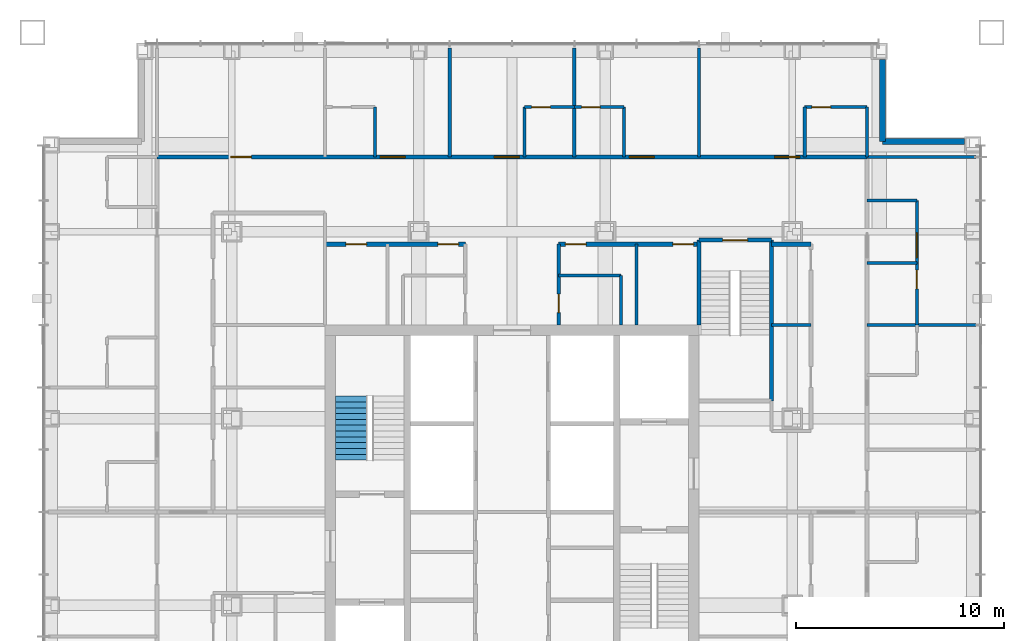
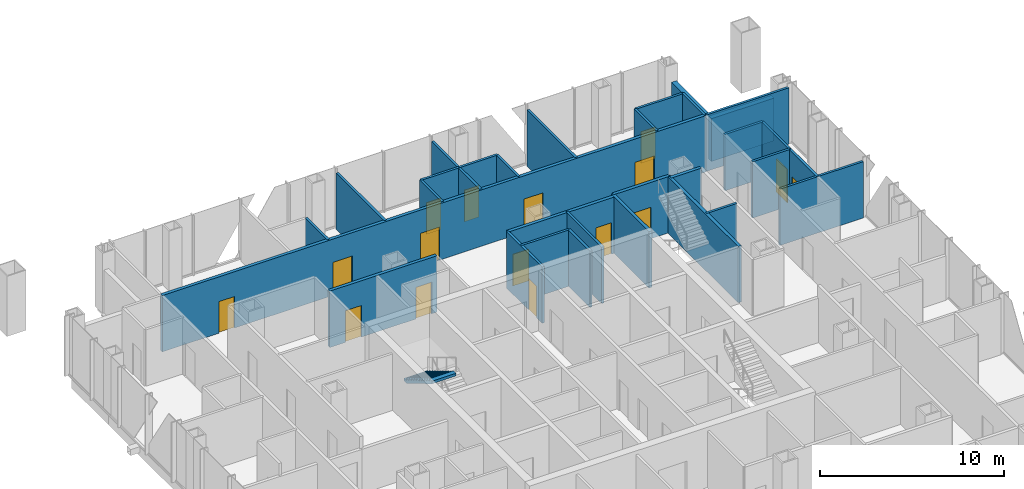
# One storey, part 15 of 21: 31 walls, 16 doors, 1 stair flight, 16 openings, 1 element without a shape of its own.
"""IFC4 building model written with IfcOpenShell, lengths in metres."""

from ifc_helpers import new_model, si_unit, direction, frame, frame_2d, origin, place, context, subcontext, project, spatial, polyline, rectangle, outline, extrude, material, layer, layer_set, type_object, element, fill, aggregate, save


model = new_model("IFC4")

# Units and contexts
model_context = context("Model", 3, precision=1e-05, world=origin(), true_north=direction((0.0, 1.0)))
body_context = subcontext(model_context, "Body", "Model", "MODEL_VIEW")
ifc_project = project(units=[si_unit("LENGTHUNIT", "METRE"), si_unit("AREAUNIT", "SQUARE_METRE"), si_unit("VOLUMEUNIT", "CUBIC_METRE"), si_unit("PLANEANGLEUNIT", "RADIAN"), si_unit("MASSUNIT", "GRAM", prefix="KILO")], contexts=[model_context])

# Site, building, storey
site_placement = place(None, origin())
site = spatial("IfcSite", under=ifc_project, at=site_placement, CompositionType="ELEMENT")
building_placement = place(site_placement, origin())
building = spatial("IfcBuilding", under=site, at=building_placement, Name="Malebo Sky Hospital", CompositionType="ELEMENT")
storey_placement = place(building_placement, frame((0.0, 0.0, 229.0)))
storey = spatial("IfcBuildingStorey", under=building, at=storey_placement, Name="L55", CompositionType="ELEMENT", Elevation=229.0)

# Wall, openings, doors
ifc_material_1 = material(Name="Gypsum board on steel studs", Category="steel")
ifc_layer_1 = layer(ifc_material_1, 0.199951171875)
ifc_layer_set_1 = layer_set([ifc_layer_1], Name="CORRIDOR WALL 200")
wall_type_1 = type_object("IfcWallType", Name="CORRIDOR WALL 200", PredefinedType="PARTITIONING", material=ifc_layer_set_1)
wall_1_placement = place(storey_placement, frame((42.89990234375, 79.10009765625, 0.0), z_axis=(0.0, 0.0, 1.0), x_axis=(1.0, 0.0, 0.0)))
wall_1 = element("IfcWall", 1, at=wall_1_placement, inside=storey, type_object=wall_type_1, Name="Corridor Wall 200 NCO", PredefinedType="PARTITIONING", context=body_context, shape_type="SweptSolid", body=[
    extrude(rectangle(XDim=34.2001953125, YDim=0.199951171875, at=frame_2d((17.10009765625, 0.0))), origin(), (0.0, 0.0, 1.0), 3.75),
])
opening_1_placement = place(wall_1_placement, frame((3.550048828125, 0.0, 0.0)))
opening_1 = element("IfcOpeningElement", 2, at=opening_1_placement, cuts=wall_1, Name="Opening D03", PredefinedType="OPENING", context=body_context, shape_type="SweptSolid", body=[
    extrude(rectangle(XDim=1.0, YDim=2.10009765625, at=frame_2d((0.5, 1.050048828125))), frame((0.0, 0.10986328125, 0.0), z_axis=(0.0, -1.0, 0.0), x_axis=(1.0, 0.0, 0.0)), (0.0, 0.0, 1.0), 0.219970703125),
])
opening_2_placement = place(wall_1_placement, frame((10.75, 0.0, 0.0)))
opening_2 = element("IfcOpeningElement", 3, at=opening_2_placement, cuts=wall_1, Name="Opening D01", PredefinedType="OPENING", context=body_context, shape_type="SweptSolid", body=[
    extrude(rectangle(XDim=1.199951171875, YDim=2.199951171875, at=frame_2d((0.60009765625, 1.10009765625))), frame((0.0, 0.10986328125, 0.0), z_axis=(0.0, -1.0, 0.0), x_axis=(1.0, 0.0, 0.0)), (0.0, 0.0, 1.0), 0.219970703125),
])
opening_3_placement = place(wall_1_placement, frame((16.25, 0.0, 0.0)))
opening_3 = element("IfcOpeningElement", 4, at=opening_3_placement, cuts=wall_1, Name="Opening D01", PredefinedType="OPENING", context=body_context, shape_type="SweptSolid", body=[
    extrude(rectangle(XDim=1.199951171875, YDim=2.199951171875, at=frame_2d((0.60009765625, 1.10009765625))), frame((0.0, 0.10986328125, 0.0), z_axis=(0.0, -1.0, 0.0), x_axis=(1.0, 0.0, 0.0)), (0.0, 0.0, 1.0), 0.219970703125),
])
opening_4_placement = place(wall_1_placement, frame((22.75, 0.0, 0.0)))
opening_4 = element("IfcOpeningElement", 5, at=opening_4_placement, cuts=wall_1, Name="Opening D01", PredefinedType="OPENING", context=body_context, shape_type="SweptSolid", body=[
    extrude(rectangle(XDim=1.199951171875, YDim=2.199951171875, at=frame_2d((0.60009765625, 1.10009765625))), frame((0.0, 0.10986328125, 0.0), z_axis=(0.0, -1.0, 0.0), x_axis=(1.0, 0.0, 0.0)), (0.0, 0.0, 1.0), 0.219970703125),
])
opening_5_placement = place(wall_1_placement, frame((29.75, 0.0, 0.0)))
opening_5 = element("IfcOpeningElement", 6, at=opening_5_placement, cuts=wall_1, Name="Opening D01", PredefinedType="OPENING", context=body_context, shape_type="SweptSolid", body=[
    extrude(rectangle(XDim=1.199951171875, YDim=2.199951171875, at=frame_2d((0.60009765625, 1.10009765625))), frame((0.0, 0.10986328125, 0.0), z_axis=(0.0, -1.0, 0.0), x_axis=(1.0, 0.0, 0.0)), (0.0, 0.0, 1.0), 0.219970703125),
])
ifc_material_2 = material(Name="Hardwood-faced door leaf in steel frame", Category="steel")
door_type_1 = type_object("IfcDoorType", Name="BED DOOR 1200", OperationType="SINGLE_SWING_LEFT", PredefinedType="DOOR", material=ifc_material_2)
door_1_placement = place(opening_2_placement, origin())
door_1 = element("IfcDoor", 7, at=door_1_placement, inside=storey, type_object=door_type_1, Name="Single bed room door", OperationType="SINGLE_SWING_LEFT", OverallHeight=2.199951171875, OverallWidth=1.199951171875, PredefinedType="DOOR", context=body_context, shape_type="SweptSolid", body=[
    extrude(rectangle(XDim=1.199951171875, YDim=2.199951171875, at=frame_2d((0.60009765625, 1.10009765625))), frame((0.0, 0.02490234375, 0.0), z_axis=(0.0, -1.0, 0.0), x_axis=(1.0, 0.0, 0.0)), (0.0, 0.0, 1.0), 0.050048828125),
])
fill(opening_2, door_1)
door_2_placement = place(opening_3_placement, origin())
door_2 = element("IfcDoor", 8, at=door_2_placement, inside=storey, type_object=door_type_1, Name="Single bed room door", OperationType="SINGLE_SWING_RIGHT", OverallHeight=2.199951171875, OverallWidth=1.199951171875, PredefinedType="DOOR", context=body_context, shape_type="SweptSolid", body=[
    extrude(rectangle(XDim=1.199951171875, YDim=2.199951171875, at=frame_2d((0.60009765625, 1.10009765625))), frame((0.0, 0.02490234375, 0.0), z_axis=(0.0, -1.0, 0.0), x_axis=(1.0, 0.0, 0.0)), (0.0, 0.0, 1.0), 0.050048828125),
])
fill(opening_3, door_2)
door_3_placement = place(opening_4_placement, origin())
door_3 = element("IfcDoor", 9, at=door_3_placement, inside=storey, type_object=door_type_1, Name="Single bed room door", OperationType="SINGLE_SWING_LEFT", OverallHeight=2.199951171875, OverallWidth=1.199951171875, PredefinedType="DOOR", context=body_context, shape_type="SweptSolid", body=[
    extrude(rectangle(XDim=1.199951171875, YDim=2.199951171875, at=frame_2d((0.60009765625, 1.10009765625))), frame((0.0, 0.02490234375, 0.0), z_axis=(0.0, -1.0, 0.0), x_axis=(1.0, 0.0, 0.0)), (0.0, 0.0, 1.0), 0.050048828125),
])
fill(opening_4, door_3)
door_4_placement = place(opening_5_placement, origin())
door_4 = element("IfcDoor", 10, at=door_4_placement, inside=storey, type_object=door_type_1, Name="Two-bed room door", OperationType="SINGLE_SWING_RIGHT", OverallHeight=2.199951171875, OverallWidth=1.199951171875, PredefinedType="DOOR", context=body_context, shape_type="SweptSolid", body=[
    extrude(rectangle(XDim=1.199951171875, YDim=2.199951171875, at=frame_2d((0.60009765625, 1.10009765625))), frame((0.0, 0.02490234375, 0.0), z_axis=(0.0, -1.0, 0.0), x_axis=(1.0, 0.0, 0.0)), (0.0, 0.0, 1.0), 0.050048828125),
])
fill(opening_5, door_4)
door_type_2 = type_object("IfcDoorType", Name="ROOM DOOR 1000", OperationType="SINGLE_SWING_LEFT", PredefinedType="DOOR", material=ifc_material_2)
door_5_placement = place(opening_1_placement, origin())
door_5 = element("IfcDoor", 11, at=door_5_placement, inside=storey, type_object=door_type_2, Name="School room door", OperationType="SINGLE_SWING_LEFT", OverallHeight=2.10009765625, OverallWidth=1.0, PredefinedType="DOOR", context=body_context, shape_type="SweptSolid", body=[
    extrude(rectangle(XDim=1.0, YDim=2.10009765625, at=frame_2d((0.5, 1.050048828125))), frame((0.0, 0.02490234375, 0.0), z_axis=(0.0, -1.0, 0.0), x_axis=(1.0, 0.0, 0.0)), (0.0, 0.0, 1.0), 0.050048828125),
])
fill(opening_1, door_5)

wall_2_placement = place(storey_placement, frame((51.0, 74.89990234375, 0.0), z_axis=(0.0, 0.0, 1.0), x_axis=(1.0, 0.0, 0.0)))
wall_2 = element("IfcWall", 12, at=wall_2_placement, inside=storey, type_object=wall_type_1, Name="Corridor Wall 200 NCI1", PredefinedType="PARTITIONING", context=body_context, shape_type="SweptSolid", body=[
    extrude(rectangle(XDim=6.75, YDim=0.199951171875, at=frame_2d((3.375, 0.0))), origin(), (0.0, 0.0, 1.0), 3.75),
])
opening_6_placement = place(wall_2_placement, frame((1.0, 0.0, 0.0)))
opening_6 = element("IfcOpeningElement", 13, at=opening_6_placement, cuts=wall_2, Name="Opening D03", PredefinedType="OPENING", context=body_context, shape_type="SweptSolid", body=[
    extrude(rectangle(XDim=1.0, YDim=2.10009765625, at=frame_2d((0.5, 1.050048828125))), frame((0.0, 0.10986328125, 0.0), z_axis=(0.0, -1.0, 0.0), x_axis=(1.0, 0.0, 0.0)), (0.0, 0.0, 1.0), 0.219970703125),
])
opening_7_placement = place(wall_2_placement, frame((5.425048828125, 0.0, 0.0)))
opening_7 = element("IfcOpeningElement", 14, at=opening_7_placement, cuts=wall_2, Name="Opening D03", PredefinedType="OPENING", context=body_context, shape_type="SweptSolid", body=[
    extrude(rectangle(XDim=1.0, YDim=2.10009765625, at=frame_2d((0.5, 1.050048828125))), frame((0.0, 0.10986328125, 0.0), z_axis=(0.0, -1.0, 0.0), x_axis=(1.0, 0.0, 0.0)), (0.0, 0.0, 1.0), 0.219970703125),
])
door_6_placement = place(opening_6_placement, origin())
door_6 = element("IfcDoor", 15, at=door_6_placement, inside=storey, type_object=door_type_2, Name="Sensory room door", OperationType="SINGLE_SWING_LEFT", OverallHeight=2.10009765625, OverallWidth=1.0, PredefinedType="DOOR", context=body_context, shape_type="SweptSolid", body=[
    extrude(rectangle(XDim=1.0, YDim=2.10009765625, at=frame_2d((0.5, 1.050048828125))), frame((0.0, 0.02490234375, 0.0), z_axis=(0.0, -1.0, 0.0), x_axis=(1.0, 0.0, 0.0)), (0.0, 0.0, 1.0), 0.050048828125),
])
fill(opening_6, door_6)
door_7_placement = place(opening_7_placement, origin())
door_7 = element("IfcDoor", 16, at=door_7_placement, inside=storey, type_object=door_type_2, Name="Equipment store door", OperationType="SINGLE_SWING_RIGHT", OverallHeight=2.10009765625, OverallWidth=1.0, PredefinedType="DOOR", context=body_context, shape_type="SweptSolid", body=[
    extrude(rectangle(XDim=1.0, YDim=2.10009765625, at=frame_2d((0.5, 1.050048828125))), frame((0.0, 0.02490234375, 0.0), z_axis=(0.0, -1.0, 0.0), x_axis=(1.0, 0.0, 0.0)), (0.0, 0.0, 1.0), 0.050048828125),
])
fill(opening_7, door_7)

wall_3_placement = place(storey_placement, frame((62.25, 74.89990234375, 0.0), z_axis=(0.0, 0.0, 1.0), x_axis=(1.0, 0.0, 0.0)))
wall_3 = element("IfcWall", 17, at=wall_3_placement, inside=storey, type_object=wall_type_1, Name="Corridor Wall 200 NCI2", PredefinedType="PARTITIONING", context=body_context, shape_type="SweptSolid", body=[
    extrude(rectangle(XDim=6.75, YDim=0.199951171875, at=frame_2d((3.375, 0.0))), origin(), (0.0, 0.0, 1.0), 3.75),
])
opening_8_placement = place(wall_3_placement, frame((0.324951171875, 0.0, 0.0)))
opening_8 = element("IfcOpeningElement", 18, at=opening_8_placement, cuts=wall_3, Name="Opening D03", PredefinedType="OPENING", context=body_context, shape_type="SweptSolid", body=[
    extrude(rectangle(XDim=1.0, YDim=2.10009765625, at=frame_2d((0.5, 1.050048828125))), frame((0.0, 0.10986328125, 0.0), z_axis=(0.0, -1.0, 0.0), x_axis=(1.0, 0.0, 0.0)), (0.0, 0.0, 1.0), 0.219970703125),
])
opening_9_placement = place(wall_3_placement, frame((5.5, 0.0, 0.0)))
opening_9 = element("IfcOpeningElement", 19, at=opening_9_placement, cuts=wall_3, Name="Opening D03", PredefinedType="OPENING", context=body_context, shape_type="SweptSolid", body=[
    extrude(rectangle(XDim=1.0, YDim=2.10009765625, at=frame_2d((0.5, 1.050048828125))), frame((0.0, 0.10986328125, 0.0), z_axis=(0.0, -1.0, 0.0), x_axis=(1.0, 0.0, 0.0)), (0.0, 0.0, 1.0), 0.219970703125),
])
door_8_placement = place(opening_8_placement, origin())
door_8 = element("IfcDoor", 20, at=door_8_placement, inside=storey, type_object=door_type_2, Name="Medication room door", OperationType="SINGLE_SWING_LEFT", OverallHeight=2.10009765625, OverallWidth=1.0, PredefinedType="DOOR", context=body_context, shape_type="SweptSolid", body=[
    extrude(rectangle(XDim=1.0, YDim=2.10009765625, at=frame_2d((0.5, 1.050048828125))), frame((0.0, 0.02490234375, 0.0), z_axis=(0.0, -1.0, 0.0), x_axis=(1.0, 0.0, 0.0)), (0.0, 0.0, 1.0), 0.050048828125),
])
fill(opening_8, door_8)
door_9_placement = place(opening_9_placement, origin())
door_9 = element("IfcDoor", 21, at=door_9_placement, inside=storey, type_object=door_type_2, Name="Teenage lounge door", OperationType="SINGLE_SWING_RIGHT", OverallHeight=2.10009765625, OverallWidth=1.0, PredefinedType="DOOR", context=body_context, shape_type="SweptSolid", body=[
    extrude(rectangle(XDim=1.0, YDim=2.10009765625, at=frame_2d((0.5, 1.050048828125))), frame((0.0, 0.02490234375, 0.0), z_axis=(0.0, -1.0, 0.0), x_axis=(1.0, 0.0, 0.0)), (0.0, 0.0, 1.0), 0.050048828125),
])
fill(opening_9, door_9)

# Walls
wall_4_placement = place(storey_placement, frame((72.5, 74.89990234375, 0.0), z_axis=(0.0, 0.0, 1.0), x_axis=(1.0, 0.0, 0.0)))
element("IfcWall", 22, at=wall_4_placement, inside=storey, type_object=wall_type_1, Name="Corridor Wall 200 NCI2/2", PredefinedType="PARTITIONING", context=body_context, shape_type="SweptSolid", body=[
    extrude(rectangle(XDim=1.89990234375, YDim=0.199951171875, at=frame_2d((0.949951171875, 0.0))), origin(), (0.0, 0.0, 1.0), 3.75),
])
ifc_material_3 = material(Name="Anodised aluminium rainscreen on steel framing", Category="steel")
ifc_layer_2 = layer(ifc_material_3, 0.300048828125)
ifc_layer_set_2 = layer_set([ifc_layer_2], Name="NOTCH RAINSCREEN WALL 300")
wall_type_2 = type_object("IfcWallType", Name="NOTCH RAINSCREEN WALL 300", PredefinedType="ELEMENTEDWALL", material=ifc_layer_set_2)
for number, where, z_axis, x_axis, name in (
    (23, (77.85009765625, 83.800048828125, 0.0), (0.0, 0.0, 1.0), (0.0, -1.0, 0.0), "Notch rainscreen wall N1 L55"),
    (24, (77.85009765625, 79.85009765625, 0.0), (0.0, 0.0, 1.0), (1.0, 0.0, 0.0), "Notch rainscreen wall N2 L55"),
):
    element("IfcWall", number, at=place(storey_placement, frame(where, z_axis=z_axis, x_axis=x_axis)), inside=storey, type_object=wall_type_2, Name=name, PredefinedType="ELEMENTEDWALL", context=body_context, shape_type="SweptSolid", body=[
        extrude(rectangle(XDim=3.949951171875, YDim=0.300048828125, at=frame_2d((1.97509765625, 0.0))), origin(), (0.0, 0.0, 1.0), 2.85009765625),
    ])
ifc_layer_3 = layer(ifc_material_1, 0.14990234375)
ifc_layer_set_3 = layer_set([ifc_layer_3], Name="PARTITION 150")
wall_type_3 = type_object("IfcWallType", Name="PARTITION 150", PredefinedType="PARTITIONING", material=ifc_layer_set_3)
for number, where, z_axis, x_axis, name in (
    (25, (57.0, 79.10009765625, 0.0), (0.0, 0.0, 1.0), (0.0, 1.0, 0.0), "Partition 150 NP-3.0"),
    (26, (63.0, 79.10009765625, 0.0), (0.0, 0.0, 1.0), (0.0, 1.0, 0.0), "Partition 150 NP+3.0"),
    (27, (69.0, 79.10009765625, 0.0), (0.0, 0.0, 1.0), (0.0, 1.0, 0.0), "Partition 150 NP+9.0"),
):
    element("IfcWall", number, at=place(storey_placement, frame(where, z_axis=z_axis, x_axis=x_axis)), inside=storey, type_object=wall_type_3, Name=name, PredefinedType="PARTITIONING", context=body_context, shape_type="SweptSolid", body=[
        extrude(rectangle(XDim=5.25, YDim=0.14990234375, at=frame_2d((2.625, 0.0))), origin(), (0.0, 0.0, 1.0), 3.75),
    ])
wall_5_placement = place(storey_placement, frame((53.39990234375, 79.10009765625, 0.0), z_axis=(0.0, 0.0, 1.0), x_axis=(0.0, 1.0, 0.0)))
element("IfcWall", 28, at=wall_5_placement, inside=storey, type_object=wall_type_3, Name="Partition 150 NE1S", PredefinedType="PARTITIONING", context=body_context, shape_type="SweptSolid", body=[
    extrude(rectangle(XDim=2.39990234375, YDim=0.14990234375, at=frame_2d((1.199951171875, 0.0))), origin(), (0.0, 0.0, 1.0), 3.75),
])

# Wall, opening, door
wall_6_placement = place(storey_placement, frame((60.60009765625, 81.5, 0.0), z_axis=(0.0, 0.0, 1.0), x_axis=(1.0, 0.0, 0.0)))
wall_6 = element("IfcWall", 29, at=wall_6_placement, inside=storey, type_object=wall_type_3, Name="Partition 150 NE2F", PredefinedType="PARTITIONING", context=body_context, shape_type="SweptSolid", body=[
    extrude(rectangle(XDim=2.39990234375, YDim=0.14990234375, at=frame_2d((1.199951171875, 0.0))), origin(), (0.0, 0.0, 1.0), 3.75),
])
opening_10_placement = place(wall_6_placement, frame((0.35009765625, 0.0, 0.0)))
opening_10 = element("IfcOpeningElement", 30, at=opening_10_placement, cuts=wall_6, Name="Opening D02", PredefinedType="OPENING", context=body_context, shape_type="SweptSolid", body=[
    extrude(rectangle(XDim=0.89990234375, YDim=2.10009765625, at=frame_2d((0.449951171875, 1.050048828125))), frame((0.0, 0.0849609375, 0.0), z_axis=(0.0, -1.0, 0.0), x_axis=(1.0, 0.0, 0.0)), (0.0, 0.0, 1.0), 0.169921875),
])
door_type_3 = type_object("IfcDoorType", Name="EN-SUITE DOOR 900", OperationType="SINGLE_SWING_LEFT", PredefinedType="DOOR", material=ifc_material_2)
door_10_placement = place(opening_10_placement, origin())
door_10 = element("IfcDoor", 31, at=door_10_placement, inside=storey, type_object=door_type_3, Name="En-suite door", OperationType="SINGLE_SWING_LEFT", OverallHeight=2.10009765625, OverallWidth=0.89990234375, PredefinedType="DOOR", context=body_context, shape_type="SweptSolid", body=[
    extrude(rectangle(XDim=0.89990234375, YDim=2.10009765625, at=frame_2d((0.449951171875, 1.050048828125))), frame((0.0, 0.02490234375, 0.0), z_axis=(0.0, -1.0, 0.0), x_axis=(1.0, 0.0, 0.0)), (0.0, 0.0, 1.0), 0.050048828125),
])
fill(opening_10, door_10)

# Wall
wall_7_placement = place(storey_placement, frame((60.60009765625, 79.10009765625, 0.0), z_axis=(0.0, 0.0, 1.0), x_axis=(0.0, 1.0, 0.0)))
element("IfcWall", 32, at=wall_7_placement, inside=storey, type_object=wall_type_3, Name="Partition 150 NE2S", PredefinedType="PARTITIONING", context=body_context, shape_type="SweptSolid", body=[
    extrude(rectangle(XDim=2.39990234375, YDim=0.14990234375, at=frame_2d((1.199951171875, 0.0))), origin(), (0.0, 0.0, 1.0), 3.75),
])

# Wall, opening, door
wall_8_placement = place(storey_placement, frame((63.0, 81.5, 0.0), z_axis=(0.0, 0.0, 1.0), x_axis=(1.0, 0.0, 0.0)))
wall_8 = element("IfcWall", 33, at=wall_8_placement, inside=storey, type_object=wall_type_3, Name="Partition 150 NE3F", PredefinedType="PARTITIONING", context=body_context, shape_type="SweptSolid", body=[
    extrude(rectangle(XDim=2.39990234375, YDim=0.14990234375, at=frame_2d((1.199951171875, 0.0))), origin(), (0.0, 0.0, 1.0), 3.75),
])
opening_11_placement = place(wall_8_placement, frame((0.35009765625, 0.0, 0.0)))
opening_11 = element("IfcOpeningElement", 34, at=opening_11_placement, cuts=wall_8, Name="Opening D02", PredefinedType="OPENING", context=body_context, shape_type="SweptSolid", body=[
    extrude(rectangle(XDim=0.89990234375, YDim=2.10009765625, at=frame_2d((0.449951171875, 1.050048828125))), frame((0.0, 0.0849609375, 0.0), z_axis=(0.0, -1.0, 0.0), x_axis=(1.0, 0.0, 0.0)), (0.0, 0.0, 1.0), 0.169921875),
])
door_11_placement = place(opening_11_placement, origin())
door_11 = element("IfcDoor", 35, at=door_11_placement, inside=storey, type_object=door_type_3, Name="En-suite door", OperationType="SINGLE_SWING_LEFT", OverallHeight=2.10009765625, OverallWidth=0.89990234375, PredefinedType="DOOR", context=body_context, shape_type="SweptSolid", body=[
    extrude(rectangle(XDim=0.89990234375, YDim=2.10009765625, at=frame_2d((0.449951171875, 1.050048828125))), frame((0.0, 0.02490234375, 0.0), z_axis=(0.0, -1.0, 0.0), x_axis=(1.0, 0.0, 0.0)), (0.0, 0.0, 1.0), 0.050048828125),
])
fill(opening_11, door_11)

# Wall
wall_9_placement = place(storey_placement, frame((65.39990234375, 79.10009765625, 0.0), z_axis=(0.0, 0.0, 1.0), x_axis=(0.0, 1.0, 0.0)))
element("IfcWall", 36, at=wall_9_placement, inside=storey, type_object=wall_type_3, Name="Partition 150 NE3S", PredefinedType="PARTITIONING", context=body_context, shape_type="SweptSolid", body=[
    extrude(rectangle(XDim=2.39990234375, YDim=0.14990234375, at=frame_2d((1.199951171875, 0.0))), origin(), (0.0, 0.0, 1.0), 3.75),
])

# Wall, opening, door
wall_10_placement = place(storey_placement, frame((74.10009765625, 81.5, 0.0), z_axis=(0.0, 0.0, 1.0), x_axis=(1.0, 0.0, 0.0)))
wall_10 = element("IfcWall", 37, at=wall_10_placement, inside=storey, type_object=wall_type_3, Name="Partition 150 NE4F", PredefinedType="PARTITIONING", context=body_context, shape_type="SweptSolid", body=[
    extrude(rectangle(XDim=3.0, YDim=0.14990234375, at=frame_2d((1.5, 0.0))), origin(), (0.0, 0.0, 1.0), 3.75),
])
opening_12_placement = place(wall_10_placement, frame((0.35009765625, 0.0, 0.0)))
opening_12 = element("IfcOpeningElement", 38, at=opening_12_placement, cuts=wall_10, Name="Opening D02", PredefinedType="OPENING", context=body_context, shape_type="SweptSolid", body=[
    extrude(rectangle(XDim=0.89990234375, YDim=2.10009765625, at=frame_2d((0.449951171875, 1.050048828125))), frame((0.0, 0.0849609375, 0.0), z_axis=(0.0, -1.0, 0.0), x_axis=(1.0, 0.0, 0.0)), (0.0, 0.0, 1.0), 0.169921875),
])
door_12_placement = place(opening_12_placement, origin())
door_12 = element("IfcDoor", 39, at=door_12_placement, inside=storey, type_object=door_type_3, Name="En-suite door", OperationType="SINGLE_SWING_LEFT", OverallHeight=2.10009765625, OverallWidth=0.89990234375, PredefinedType="DOOR", context=body_context, shape_type="SweptSolid", body=[
    extrude(rectangle(XDim=0.89990234375, YDim=2.10009765625, at=frame_2d((0.449951171875, 1.050048828125))), frame((0.0, 0.02490234375, 0.0), z_axis=(0.0, -1.0, 0.0), x_axis=(1.0, 0.0, 0.0)), (0.0, 0.0, 1.0), 0.050048828125),
])
fill(opening_12, door_12)

# Walls
for number, where, z_axis, x_axis, name in (
    (40, (74.10009765625, 79.10009765625, 0.0), (0.0, 0.0, 1.0), (0.0, 1.0, 0.0), "Partition 150 NE4S"),
    (41, (77.10009765625, 79.10009765625, 0.0), (0.0, 0.0, 1.0), (0.0, 1.0, 0.0), "Partition 150 NEZ"),
):
    element("IfcWall", number, at=place(storey_placement, frame(where, z_axis=z_axis, x_axis=x_axis)), inside=storey, type_object=wall_type_3, Name=name, PredefinedType="PARTITIONING", context=body_context, shape_type="SweptSolid", body=[
        extrude(rectangle(XDim=2.39990234375, YDim=0.14990234375, at=frame_2d((1.199951171875, 0.0))), origin(), (0.0, 0.0, 1.0), 3.75),
    ])

# Wall, opening, door
wall_11_placement = place(storey_placement, frame((62.25, 71.0, 0.0), z_axis=(0.0, 0.0, 1.0), x_axis=(0.0, 1.0, 0.0)))
wall_11 = element("IfcWall", 42, at=wall_11_placement, inside=storey, type_object=wall_type_3, Name="Partition 150 NSPB", PredefinedType="PARTITIONING", context=body_context, shape_type="SweptSolid", body=[
    extrude(rectangle(XDim=3.89990234375, YDim=0.14990234375, at=frame_2d((1.949951171875, 0.0))), origin(), (0.0, 0.0, 1.0), 3.75),
])
opening_13_placement = place(wall_11_placement, frame((0.60009765625, 0.0, 0.0)))
opening_13 = element("IfcOpeningElement", 43, at=opening_13_placement, cuts=wall_11, Name="Opening D04", PredefinedType="OPENING", context=body_context, shape_type="SweptSolid", body=[
    extrude(rectangle(XDim=0.89990234375, YDim=2.10009765625, at=frame_2d((0.449951171875, 1.050048828125))), frame((0.0, 0.0849609375, 0.0), z_axis=(0.0, -1.0, 0.0), x_axis=(1.0, 0.0, 0.0)), (0.0, 0.0, 1.0), 0.169921875),
])
door_type_4 = type_object("IfcDoorType", Name="ROOM DOOR 900", OperationType="SINGLE_SWING_LEFT", PredefinedType="DOOR", material=ifc_material_2)
door_13_placement = place(opening_13_placement, origin())
door_13 = element("IfcDoor", 44, at=door_13_placement, inside=storey, type_object=door_type_4, Name="Accessible WC door", OperationType="SINGLE_SWING_LEFT", OverallHeight=2.10009765625, OverallWidth=0.89990234375, PredefinedType="DOOR", context=body_context, shape_type="SweptSolid", body=[
    extrude(rectangle(XDim=0.89990234375, YDim=2.10009765625, at=frame_2d((0.449951171875, 1.050048828125))), frame((0.0, 0.02490234375, 0.0), z_axis=(0.0, -1.0, 0.0), x_axis=(1.0, 0.0, 0.0)), (0.0, 0.0, 1.0), 0.050048828125),
])
fill(opening_13, door_13)

# Walls
wall_12_placement = place(storey_placement, frame((66.0, 71.0, 0.0), z_axis=(0.0, 0.0, 1.0), x_axis=(0.0, 1.0, 0.0)))
element("IfcWall", 45, at=wall_12_placement, inside=storey, type_object=wall_type_3, Name="Partition 150 NSP+6.0", PredefinedType="PARTITIONING", context=body_context, shape_type="SweptSolid", body=[
    extrude(rectangle(XDim=3.89990234375, YDim=0.14990234375, at=frame_2d((1.949951171875, 0.0))), origin(), (0.0, 0.0, 1.0), 3.75),
])
wall_13_placement = place(storey_placement, frame((62.25, 73.39990234375, 0.0), z_axis=(0.0, 0.0, 1.0), x_axis=(1.0, 0.0, 0.0)))
element("IfcWall", 46, at=wall_13_placement, inside=storey, type_object=wall_type_3, Name="Partition 150 NSX2", PredefinedType="PARTITIONING", context=body_context, shape_type="SweptSolid", body=[
    extrude(rectangle(XDim=3.0, YDim=0.14990234375, at=frame_2d((1.5, 0.0))), origin(), (0.0, 0.0, 1.0), 3.75),
])
wall_14_placement = place(storey_placement, frame((65.25, 71.0, 0.0), z_axis=(0.0, 0.0, 1.0), x_axis=(0.0, 1.0, 0.0)))
element("IfcWall", 47, at=wall_14_placement, inside=storey, type_object=wall_type_3, Name="Partition 150 NSY2", PredefinedType="PARTITIONING", context=body_context, shape_type="SweptSolid", body=[
    extrude(rectangle(XDim=2.39990234375, YDim=0.14990234375, at=frame_2d((1.199951171875, 0.0))), origin(), (0.0, 0.0, 1.0), 3.75),
])
for number, where, z_axis, x_axis, name in (
    (48, (77.10009765625, 71.0, 0.0), (0.0, 0.0, 1.0), (1.0, 0.0, 0.0), "Partition 150 EP-9.0"),
    (49, (77.10009765625, 79.10009765625, 0.0), (0.0, 0.0, 1.0), (1.0, 0.0, 0.0), "Partition 150 EP0"),
):
    element("IfcWall", number, at=place(storey_placement, frame(where, z_axis=z_axis, x_axis=x_axis)), inside=storey, type_object=wall_type_3, Name=name, PredefinedType="PARTITIONING", context=body_context, shape_type="SweptSolid", body=[
        extrude(rectangle(XDim=5.25, YDim=0.14990234375, at=frame_2d((2.625, 0.0))), origin(), (0.0, 0.0, 1.0), 3.75),
    ])

# Wall, opening, door
wall_15_placement = place(storey_placement, frame((79.5, 74.0, 0.0), z_axis=(0.0, 0.0, 1.0), x_axis=(0.0, -1.0, 0.0)))
wall_15 = element("IfcWall", 50, at=wall_15_placement, inside=storey, type_object=wall_type_3, Name="Partition 150 EE0F", PredefinedType="PARTITIONING", context=body_context, shape_type="SweptSolid", body=[
    extrude(rectangle(XDim=3.0, YDim=0.14990234375, at=frame_2d((1.5, 0.0))), origin(), (0.0, 0.0, 1.0), 3.75),
])
opening_14_placement = place(wall_15_placement, frame((0.35009765625, 0.0, 0.0)))
opening_14 = element("IfcOpeningElement", 51, at=opening_14_placement, cuts=wall_15, Name="Opening D02", PredefinedType="OPENING", context=body_context, shape_type="SweptSolid", body=[
    extrude(rectangle(XDim=0.89990234375, YDim=2.10009765625, at=frame_2d((0.449951171875, 1.050048828125))), frame((0.0, 0.0849609375, 0.0), z_axis=(0.0, -1.0, 0.0), x_axis=(1.0, 0.0, 0.0)), (0.0, 0.0, 1.0), 0.169921875),
])
door_14_placement = place(opening_14_placement, origin())
door_14 = element("IfcDoor", 52, at=door_14_placement, inside=storey, type_object=door_type_3, Name="En-suite door", OperationType="SINGLE_SWING_LEFT", OverallHeight=2.10009765625, OverallWidth=0.89990234375, PredefinedType="DOOR", context=body_context, shape_type="SweptSolid", body=[
    extrude(rectangle(XDim=0.89990234375, YDim=2.10009765625, at=frame_2d((0.449951171875, 1.050048828125))), frame((0.0, 0.02490234375, 0.0), z_axis=(0.0, -1.0, 0.0), x_axis=(1.0, 0.0, 0.0)), (0.0, 0.0, 1.0), 0.050048828125),
])
fill(opening_14, door_14)

# Walls
wall_16_placement = place(storey_placement, frame((77.10009765625, 74.0, 0.0), z_axis=(0.0, 0.0, 1.0), x_axis=(1.0, 0.0, 0.0)))
element("IfcWall", 53, at=wall_16_placement, inside=storey, type_object=wall_type_3, Name="Partition 150 EE0S", PredefinedType="PARTITIONING", context=body_context, shape_type="SweptSolid", body=[
    extrude(rectangle(XDim=2.39990234375, YDim=0.14990234375, at=frame_2d((1.199951171875, 0.0))), origin(), (0.0, 0.0, 1.0), 3.75),
])
wall_17_placement = place(storey_placement, frame((72.5, 71.0, 0.0), z_axis=(0.0, 0.0, 1.0), x_axis=(1.0, 0.0, 0.0)))
element("IfcWall", 54, at=wall_17_placement, inside=storey, type_object=wall_type_3, Name="Partition 150 ESP0", PredefinedType="PARTITIONING", context=body_context, shape_type="SweptSolid", body=[
    extrude(rectangle(XDim=1.89990234375, YDim=0.14990234375, at=frame_2d((0.949951171875, 0.0))), origin(), (0.0, 0.0, 1.0), 3.75),
])

# Wall, opening, door
ifc_material_4 = material(Name="Sealed gypsum board on steel studs, taped to the slab", Category="steel")
ifc_layer_4 = layer(ifc_material_4, 0.14990234375)
ifc_layer_set_4 = layer_set([ifc_layer_4], Name="SEALED ISOLATION PARTITION 150")
wall_type_4 = type_object("IfcWallType", Name="SEALED ISOLATION PARTITION 150", PredefinedType="PARTITIONING", material=ifc_layer_set_4)
wall_18_placement = place(storey_placement, frame((79.5, 77.0, 0.0), z_axis=(0.0, 0.0, 1.0), x_axis=(0.0, -1.0, 0.0)))
wall_18 = element("IfcWall", 55, at=wall_18_placement, inside=storey, type_object=wall_type_4, Name="Sealed Isolation Partition 150 EA0F", PredefinedType="PARTITIONING", context=body_context, shape_type="SweptSolid", body=[
    extrude(rectangle(XDim=3.0, YDim=0.14990234375, at=frame_2d((1.5, 0.0))), origin(), (0.0, 0.0, 1.0), 3.75),
])
opening_15_placement = place(wall_18_placement, frame((1.550048828125, 0.0, 0.0)))
opening_15 = element("IfcOpeningElement", 56, at=opening_15_placement, cuts=wall_18, Name="Opening D19", PredefinedType="OPENING", context=body_context, shape_type="SweptSolid", body=[
    extrude(rectangle(XDim=1.199951171875, YDim=2.199951171875, at=frame_2d((0.60009765625, 1.10009765625))), frame((0.0, 0.0849609375, 0.0), z_axis=(0.0, -1.0, 0.0), x_axis=(1.0, 0.0, 0.0)), (0.0, 0.0, 1.0), 0.169921875),
])
ifc_material_5 = material(Name="Hardwood-faced door leaf with perimeter seals in steel frame", Category="steel")
door_type_5 = type_object("IfcDoorType", Name="SEALED ISOLATION ROOM DOOR 1200", OperationType="SINGLE_SWING_LEFT", PredefinedType="DOOR", material=ifc_material_5)
door_15_placement = place(opening_15_placement, origin())
door_15 = element("IfcDoor", 57, at=door_15_placement, inside=storey, type_object=door_type_5, Name="Isolation room door", OperationType="SINGLE_SWING_RIGHT", OverallHeight=2.199951171875, OverallWidth=1.199951171875, PredefinedType="DOOR", context=body_context, shape_type="SweptSolid", body=[
    extrude(rectangle(XDim=1.199951171875, YDim=2.199951171875, at=frame_2d((0.60009765625, 1.10009765625))), frame((0.0, 0.02490234375, 0.0), z_axis=(0.0, -1.0, 0.0), x_axis=(1.0, 0.0, 0.0)), (0.0, 0.0, 1.0), 0.050048828125),
])
fill(opening_15, door_15)

# Walls
wall_19_placement = place(storey_placement, frame((77.10009765625, 77.0, 0.0), z_axis=(0.0, 0.0, 1.0), x_axis=(1.0, 0.0, 0.0)))
element("IfcWall", 58, at=wall_19_placement, inside=storey, type_object=wall_type_4, Name="Sealed Isolation Partition 150 EA0S", PredefinedType="PARTITIONING", context=body_context, shape_type="SweptSolid", body=[
    extrude(rectangle(XDim=2.39990234375, YDim=0.14990234375, at=frame_2d((1.199951171875, 0.0))), origin(), (0.0, 0.0, 1.0), 3.75),
])
ifc_material_6 = material(Name="Concrete C40/50", Category="concrete")
ifc_layer_5 = layer(ifc_material_6, 0.199951171875)
ifc_layer_set_5 = layer_set([ifc_layer_5], Name="STAIR ENCLOSURE WALL 200")
wall_type_5 = type_object("IfcWallType", Name="STAIR ENCLOSURE WALL 200", PredefinedType="SOLIDWALL", material=ifc_layer_set_5)
wall_20_placement = place(storey_placement, frame((69.0, 71.0, 0.0), z_axis=(0.0, 0.0, 1.0), x_axis=(0.0, 1.0, 0.0)))
element("IfcWall", 59, at=wall_20_placement, inside=storey, type_object=wall_type_5, Name="Stair Enclosure Wall 200 ST3W", PredefinedType="SOLIDWALL", context=body_context, shape_type="SweptSolid", body=[
    extrude(rectangle(XDim=4.10009765625, YDim=0.199951171875, at=frame_2d((2.050048828125, 0.0))), origin(), (0.0, 0.0, 1.0), 3.75),
])
wall_21_placement = place(storey_placement, frame((72.5, 67.35009765625, 0.0), z_axis=(0.0, 0.0, 1.0), x_axis=(0.0, 1.0, 0.0)))
element("IfcWall", 60, at=wall_21_placement, inside=storey, type_object=wall_type_5, Name="Stair Enclosure Wall 200 ST3E", PredefinedType="SOLIDWALL", context=body_context, shape_type="SweptSolid", body=[
    extrude(rectangle(XDim=7.75, YDim=0.199951171875, at=frame_2d((3.875, 0.0))), origin(), (0.0, 0.0, 1.0), 3.75),
])

# Wall, opening, door
wall_22_placement = place(storey_placement, frame((69.0, 75.10009765625, 0.0), z_axis=(0.0, 0.0, 1.0), x_axis=(1.0, 0.0, 0.0)))
wall_22 = element("IfcWall", 61, at=wall_22_placement, inside=storey, type_object=wall_type_5, Name="Stair Enclosure Wall 200 ST3N", PredefinedType="SOLIDWALL", context=body_context, shape_type="SweptSolid", body=[
    extrude(rectangle(XDim=3.5, YDim=0.199951171875, at=frame_2d((1.75, 0.0))), origin(), (0.0, 0.0, 1.0), 3.75),
])
opening_16_placement = place(wall_22_placement, frame((1.14990234375, 0.0, 0.0)))
opening_16 = element("IfcOpeningElement", 62, at=opening_16_placement, cuts=wall_22, Name="Opening D08", PredefinedType="OPENING", context=body_context, shape_type="SweptSolid", body=[
    extrude(rectangle(XDim=1.199951171875, YDim=2.10009765625, at=frame_2d((0.60009765625, 1.050048828125))), frame((0.0, 0.10986328125, 0.0), z_axis=(0.0, -1.0, 0.0), x_axis=(1.0, 0.0, 0.0)), (0.0, 0.0, 1.0), 0.219970703125),
])
door_type_6 = type_object("IfcDoorType", Name="STAIR DOOR 1200", OperationType="SINGLE_SWING_LEFT", PredefinedType="DOOR", material=ifc_material_2)
door_16_placement = place(opening_16_placement, origin())
door_16 = element("IfcDoor", 63, at=door_16_placement, inside=storey, type_object=door_type_6, Name="Stair S3 door", OperationType="SINGLE_SWING_LEFT", OverallHeight=2.10009765625, OverallWidth=1.199951171875, PredefinedType="DOOR", context=body_context, shape_type="SweptSolid", body=[
    extrude(rectangle(XDim=1.199951171875, YDim=2.10009765625, at=frame_2d((0.60009765625, 1.050048828125))), frame((0.0, 0.02490234375, 0.0), z_axis=(0.0, -1.0, 0.0), x_axis=(1.0, 0.0, 0.0)), (0.0, 0.0, 1.0), 0.050048828125),
])
fill(opening_16, door_16)

# Stair, stair flight
stair_type = type_object("IfcStairType", Name="HALF-TURN STAIR 1500 R167", PredefinedType="HALF_TURN_STAIR", material=ifc_material_6)
stair_placement = place(storey_placement, origin())
stair = element("IfcStair", 64, at=stair_placement, inside=storey, type_object=stair_type, Name="Stair S1 L55 type ST1", PredefinedType="HALF_TURN_STAIR")
stair_flight_type = type_object("IfcStairFlightType", Name="STAIR FLIGHT 1500 R167", PredefinedType="STRAIGHT", material=ifc_material_6)
stair_flight_placement = place(storey_placement, frame((52.25, 67.580078125, 2.0), z_axis=(0.0, 0.0, 1.0), x_axis=(0.0, -1.0, 0.0)))
stair_flight = element("IfcStairFlight", 65, at=stair_flight_placement, type_object=stair_flight_type, Name="S1 flight 2 type SF1", NumberOfRisers=12, NumberOfTreads=11, PredefinedType="STRAIGHT", RiserHeight=0.166666667, TreadLength=0.28, context=body_context, shape_type="SweptSolid", body=[
    extrude(outline(polyline([(0.0, 0.0), (0.0, 0.166748046875), (0.280029296875, 0.166748046875), (0.280029296875, 0.333251953125), (0.56005859375, 0.333251953125), (0.56005859375, 0.5), (0.840087890625, 0.5), (0.840087890625, 0.666748046875), (1.1201171875, 0.666748046875), (1.1201171875, 0.833251953125), (1.39990234375, 0.833251953125), (1.39990234375, 1.0), (1.679931640625, 1.0), (1.679931640625, 1.166748046875), (1.9599609375, 1.166748046875), (1.9599609375, 1.333251953125), (2.239990234375, 1.333251953125), (2.239990234375, 1.5), (2.52001953125, 1.5), (2.52001953125, 1.666748046875), (2.800048828125, 1.666748046875), (2.800048828125, 1.833251953125), (3.080078125, 1.833251953125), (3.080078125, 2.0), (3.080078125, 1.658935546875), (0.29296875, 0.0), (0.0, 0.0)])), frame((0.0, 0.75, 0.0), z_axis=(0.0, -1.0, 0.0), x_axis=(1.0, 0.0, 0.0)), (0.0, 0.0, 1.0), 1.5),
])
aggregate(stair, [stair_flight])

save(model, "model.ifc")
